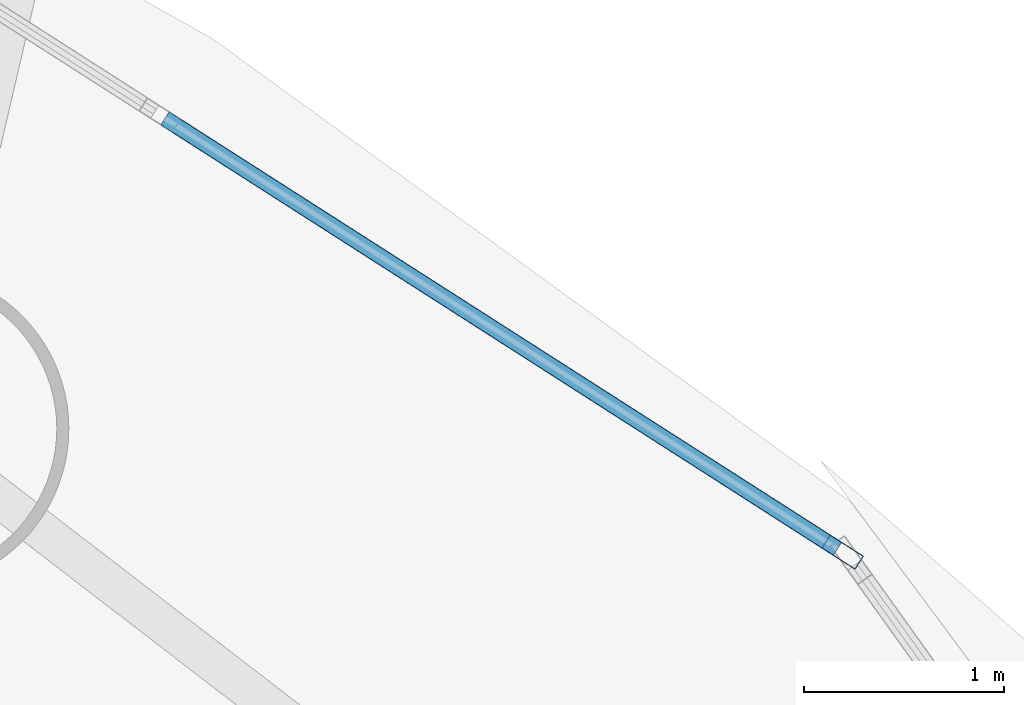
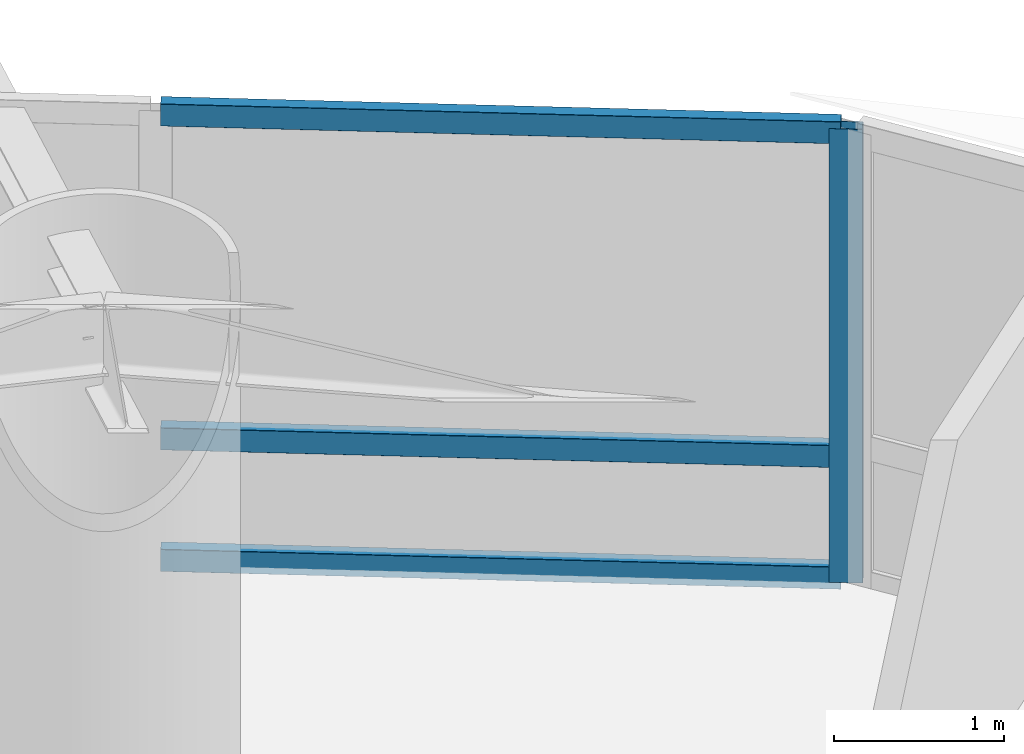
# One storey, part 18 of 27: 4 members, 1 element without a shape of its own.
"""IFC4 building model written with IfcOpenShell, lengths in metres."""

from ifc_helpers import new_model, si_unit, direction, frame, origin, origin_2d, place, context, subcontext, project, spatial, hollow_rectangle, extrude, material, layer, layer_set, material_profile, profile_set, type_object, element, aggregate, save


model = new_model("IFC4")

# Units and contexts
model_context = context("Model", 3, precision=1e-05, world=origin(), true_north=direction((0.0, 1.0)))
body_context = subcontext(model_context, "Body", "Model", "MODEL_VIEW")
ifc_project = project(units=[si_unit("LENGTHUNIT", "METRE"), si_unit("AREAUNIT", "SQUARE_METRE"), si_unit("VOLUMEUNIT", "CUBIC_METRE"), si_unit("PLANEANGLEUNIT", "RADIAN"), si_unit("MASSUNIT", "GRAM", prefix="KILO")], contexts=[model_context])

# Site, building, storey
site_placement = place(None, origin())
site = spatial("IfcSite", under=ifc_project, at=site_placement, CompositionType="ELEMENT")
building_placement = place(site_placement, origin())
building = spatial("IfcBuilding", under=site, at=building_placement, Name="Bramvorn Convention Spire", CompositionType="ELEMENT")
storey_placement = place(building_placement, frame((0.0, 0.0, 79.89990234375)))
storey = spatial("IfcBuildingStorey", under=building, at=storey_placement, Name="L18", CompositionType="ELEMENT", Elevation=79.89990234375)

# Curtain wall, members
ifc_material_1 = material(Name="Anodised Bronze Unitised Curtain Wall", Category="aluminium")
ifc_layer = layer(ifc_material_1, 0.179931640625)
ifc_layer_set = layer_set([ifc_layer], Name="Anodised Bronze Unitised Curtain Wall - CW-HTL-FRIT")
curtain_wall_type = type_object("IfcCurtainWallType", Name="CW-HTL-FRIT", PredefinedType="USERDEFINED", material=ifc_layer_set)
curtain_wall_placement = place(storey_placement, origin())
curtain_wall = element("IfcCurtainWall", 1, at=curtain_wall_placement, inside=storey, type_object=curtain_wall_type, Name="L18 fritted glass curtain wall 05", ObjectType="UNITISED CURTAIN WALL", PredefinedType="USERDEFINED")
ifc_material_2 = material(Name="Anodised Bronze Aluminium 6063-T6", Category="aluminium")
ifc_material_profile_1 = material_profile(ifc_material_2, hollow_rectangle(XDim=0.080078125, YDim=0.199951171875, WallThickness=0.00390625, InnerFilletRadius=0.0009765625, OuterFilletRadius=0.00390625, at=origin_2d()))
ifc_profile_set_1 = profile_set([ifc_material_profile_1], Name="Anodised Bronze Aluminium 6063-T6 - CWM80X200")
member_type_1 = type_object("IfcMemberType", Name="CW-MUL-180", PredefinedType="MULLION", material=ifc_profile_set_1)
member_1_placement = place(storey_placement, frame((56.260986328125, 42.8916015625, 0.0), z_axis=(0.0, 0.0, 1.0), x_axis=(0.539152672199, 0.842208047967, 0.0)))
member_1 = element("IfcMember", 2, at=member_1_placement, type_object=member_type_1, Name="CW2 mullion 3", PredefinedType="MULLION", context=body_context, shape_type="SweptSolid", body=[
    extrude(hollow_rectangle(XDim=0.080078125, YDim=0.199951171875, WallThickness=0.00390625, InnerFilletRadius=0.0009765625, OuterFilletRadius=0.00390625, at=origin_2d()), origin(), (0.0, 0.0, 1.0), 3.25),
])
ifc_material_profile_2 = material_profile(ifc_material_2, hollow_rectangle(XDim=0.080078125, YDim=0.159912109375, WallThickness=0.00390625, InnerFilletRadius=0.0009765625, OuterFilletRadius=0.00390625, at=origin_2d()))
ifc_profile_set_2 = profile_set([ifc_material_profile_2], Name="Anodised Bronze Aluminium 6063-T6 - CWT80X160")
member_type_2 = type_object("IfcMemberType", Name="CW-TRN-150", PredefinedType="USERDEFINED", material=ifc_profile_set_2)
member_2_placement = place(storey_placement, frame((52.870849609375, 45.061767578125, 0.030029296875), z_axis=(0.84221923843, -0.539135191226, 0.0), x_axis=(0.539135191226, 0.84221923843, 0.0)))
member_2 = element("IfcMember", 3, at=member_2_placement, type_object=member_type_2, Name="CW2 transom 2.1", ObjectType="TRANSOM", PredefinedType="USERDEFINED", context=body_context, shape_type="SweptSolid", body=[
    extrude(hollow_rectangle(XDim=0.080078125, YDim=0.159912109375, WallThickness=0.00390625, InnerFilletRadius=0.0009765625, OuterFilletRadius=0.00390625, at=origin_2d()), origin(), (0.0, 0.0, 1.0), 3.995361328125),
])
member_3_placement = place(storey_placement, frame((52.870849609375, 45.061767578125, 0.900146484375), z_axis=(0.84221923843, -0.539135191226, 0.0), x_axis=(0.539135191226, 0.84221923843, 0.0)))
member_3 = element("IfcMember", 4, at=member_3_placement, type_object=member_type_2, Name="CW2 transom 2.2", ObjectType="TRANSOM", PredefinedType="USERDEFINED", context=body_context, shape_type="SweptSolid", body=[
    extrude(hollow_rectangle(XDim=0.080078125, YDim=0.159912109375, WallThickness=0.00390625, InnerFilletRadius=0.0009765625, OuterFilletRadius=0.00390625, at=origin_2d()), origin(), (0.0, 0.0, 1.0), 3.995361328125),
])
member_4_placement = place(storey_placement, frame((52.870849609375, 45.061767578125, 3.22021484375), z_axis=(0.84221923843, -0.539135191226, 0.0), x_axis=(0.539135191226, 0.84221923843, 0.0)))
member_4 = element("IfcMember", 5, at=member_4_placement, type_object=member_type_2, Name="CW2 transom 2.3", ObjectType="TRANSOM", PredefinedType="USERDEFINED", context=body_context, shape_type="SweptSolid", body=[
    extrude(hollow_rectangle(XDim=0.080078125, YDim=0.159912109375, WallThickness=0.00390625, InnerFilletRadius=0.0009765625, OuterFilletRadius=0.00390625, at=origin_2d()), origin(), (0.0, 0.0, 1.0), 3.995361328125),
])
aggregate(curtain_wall, [member_1, member_2, member_3, member_4])

save(model, "model.ifc")
